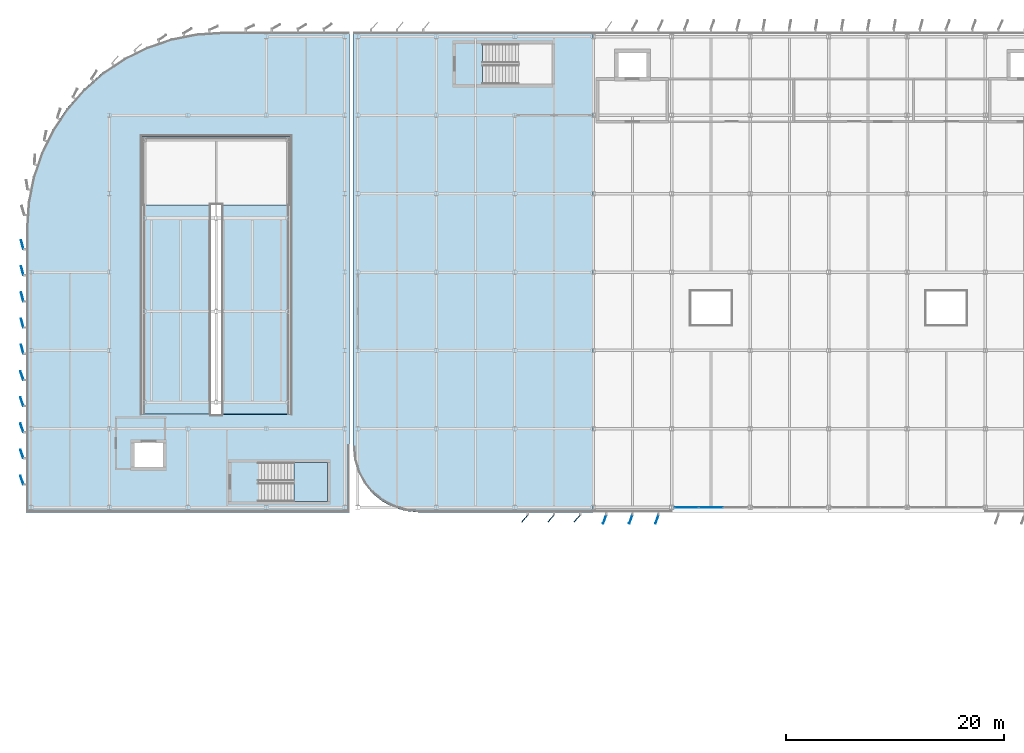
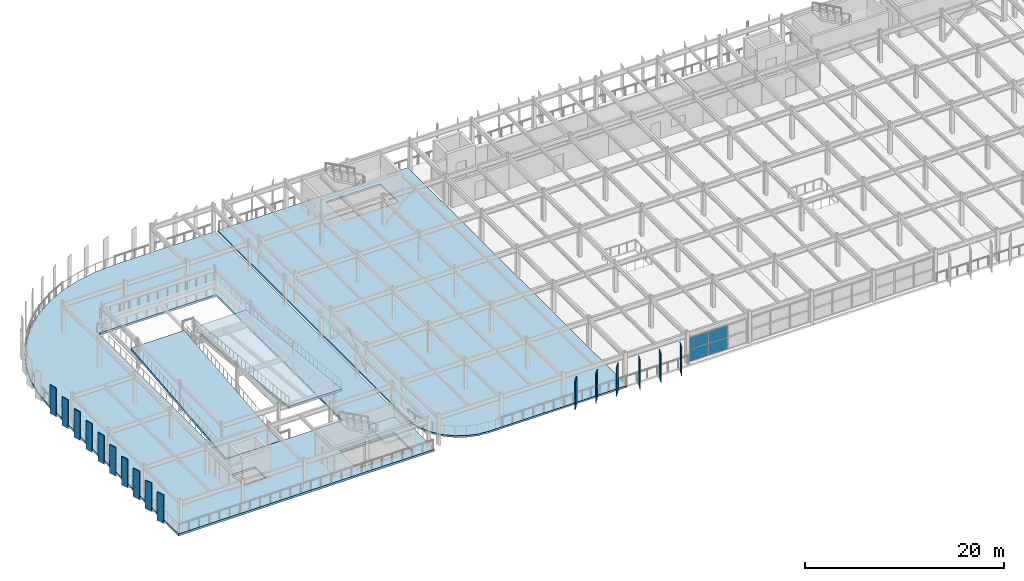
# One storey, part 26 of 52: 20 plates, 5 slabs, 2 elements without a shape of their own.
"""IFC4 building model written with IfcOpenShell, lengths in metres."""

from ifc_helpers import new_model, si_unit, direction, frame, origin, origin_2d, place, context, subcontext, project, spatial, polyline, rectangle, outline, extrude, material, layer, layer_set, type_object, element, aggregate, save


model = new_model("IFC4")

# Units and contexts
model_context = context("Model", 3, precision=1e-05, world=origin(), true_north=direction((0.0, 1.0)))
body_context = subcontext(model_context, "Body", "Model", "MODEL_VIEW")
ifc_project = project(units=[si_unit("LENGTHUNIT", "METRE"), si_unit("AREAUNIT", "SQUARE_METRE"), si_unit("VOLUMEUNIT", "CUBIC_METRE"), si_unit("PLANEANGLEUNIT", "RADIAN"), si_unit("MASSUNIT", "GRAM", prefix="KILO")], contexts=[model_context])

# Site, building, storey
site_placement = place(None, origin())
site = spatial("IfcSite", under=ifc_project, at=site_placement, CompositionType="ELEMENT")
building_placement = place(site_placement, origin())
building = spatial("IfcBuilding", under=site, at=building_placement, Name="Vaelcorin Mobility Hub", CompositionType="ELEMENT")
storey_placement = place(building_placement, frame((0.0, 0.0, 13.199951171875)))
storey = spatial("IfcBuildingStorey", under=building, at=storey_placement, Name="L03", CompositionType="ELEMENT", Elevation=13.199951171875)

# Curtain wall, plates
ifc_material_1 = material(Name="Anodised aluminium 6063-T6", Category="aluminium")
curtain_wall_type = type_object("IfcCurtainWallType", Name="CW-MOB-A", PredefinedType="NOTDEFINED", material=ifc_material_1)
curtain_wall_placement = place(storey_placement, origin())
curtain_wall = element("IfcCurtainWall", 1, at=curtain_wall_placement, inside=storey, type_object=curtain_wall_type, Name="L03 Curtain Wall CW-V4-L03-S-05", PredefinedType="NOTDEFINED")
ifc_material_2 = material(Name="Low-E solar-control insulated glazing", Category="glass")
ifc_layer_1 = layer(ifc_material_2, 0.028076171875)
ifc_layer_set_1 = layer_set([ifc_layer_1], Name="Low-E solar-control insulated glazing")
plate_type_1 = type_object("IfcPlateType", Name="CW-PAN-GLZ28", PredefinedType="CURTAIN_PANEL", material=ifc_layer_set_1)
plate_1_placement = place(storey_placement, frame((68.39990234375, 76.800048828125, 0.06005859375), z_axis=(0.0, 0.0, 1.0), x_axis=(-1.0, 0.0, 0.0)))
plate_1 = element("IfcPlate", 2, at=plate_1_placement, type_object=plate_type_1, Name="CW7 panel 2.1", PredefinedType="CURTAIN_PANEL", context=body_context, shape_type="SweptSolid", body=[
    extrude(rectangle(XDim=2.193359375, YDim=0.028076171875, at=origin_2d()), origin(), (0.0, 0.0, 1.0), 1.426025390625),
])
plate_2_placement = place(storey_placement, frame((68.39990234375, 76.800048828125, 1.5458984375), z_axis=(0.0, 0.0, 1.0), x_axis=(-1.0, 0.0, 0.0)))
plate_2 = element("IfcPlate", 3, at=plate_2_placement, type_object=plate_type_1, Name="CW7 panel 2.2", PredefinedType="CURTAIN_PANEL", context=body_context, shape_type="SweptSolid", body=[
    extrude(rectangle(XDim=2.193359375, YDim=0.028076171875, at=origin_2d()), origin(), (0.0, 0.0, 1.0), 1.427001953125),
])
plate_3_placement = place(storey_placement, frame((66.16162109375, 76.800048828125, 0.06005859375), z_axis=(0.0, 0.0, 1.0), x_axis=(-1.0, 0.0, 0.0)))
plate_3 = element("IfcPlate", 4, at=plate_3_placement, type_object=plate_type_1, Name="CW7 panel 3.1", PredefinedType="CURTAIN_PANEL", context=body_context, shape_type="SweptSolid", body=[
    extrude(rectangle(XDim=2.163330078125, YDim=0.028076171875, at=origin_2d()), origin(), (0.0, 0.0, 1.0), 1.426025390625),
])
plate_4_placement = place(storey_placement, frame((66.16162109375, 76.800048828125, 1.5458984375), z_axis=(0.0, 0.0, 1.0), x_axis=(-1.0, 0.0, 0.0)))
plate_4 = element("IfcPlate", 5, at=plate_4_placement, type_object=plate_type_1, Name="CW7 panel 3.2", PredefinedType="CURTAIN_PANEL", context=body_context, shape_type="SweptSolid", body=[
    extrude(rectangle(XDim=2.163330078125, YDim=0.028076171875, at=origin_2d()), origin(), (0.0, 0.0, 1.0), 1.427001953125),
])
aggregate(curtain_wall, [plate_1, plate_2, plate_3, plate_4])

# Plates
ifc_material_3 = material(Name="Perforated terracotta-bronze aluminium aerofoil", Category="masonry")
ifc_layer_2 = layer(ifc_material_3, 0.06005859375)
ifc_layer_set_2 = layer_set([ifc_layer_2], Name="Perforated terracotta-bronze aluminium aerofoil")
plate_type_2 = type_object("IfcPlateType", Name="PL-FIN-AF1", PredefinedType="SHEET", material=ifc_layer_set_2)
for number, where, z_axis, x_axis, name in (
    (6, (56.126953125, 75.783935546875, -0.159912109375), (0.0, 0.0, 1.0), (-0.642787609687, -0.766044443119, 0.0), "Rotating Terracotta-Bronze Aerofoil Fin FIN-V4-L03-S-03-AF-01"),
    (7, (53.72705078125, 75.783935546875, -0.159912109375), (0.0, 0.0, 1.0), (-0.642787609687, -0.766044443119, 0.0), "Rotating Terracotta-Bronze Aerofoil Fin FIN-V4-L03-S-03-AF-02"),
    (8, (51.326904296875, 75.783935546875, -0.159912109375), (0.0, 0.0, 1.0), (-0.642787609687, -0.766044443119, 0.0), "Rotating Terracotta-Bronze Aerofoil Fin FIN-V4-L03-S-03-AF-03"),
    (9, (63.455078125, 75.7109375, -0.159912109375), (0.0, 0.0, 1.0), (-0.342020143326, -0.939692620786, 0.0), "Rotating Terracotta-Bronze Aerofoil Fin FIN-V4-L03-S-04-AF-01"),
    (10, (61.054931640625, 75.7109375, -0.159912109375), (0.0, 0.0, 1.0), (-0.342020143326, -0.939692620786, 0.0), "Rotating Terracotta-Bronze Aerofoil Fin FIN-V4-L03-S-04-AF-02"),
    (11, (58.655029296875, 75.7109375, -0.159912109375), (0.0, 0.0, 1.0), (-0.342020143326, -0.939692620786, 0.0), "Rotating Terracotta-Bronze Aerofoil Fin FIN-V4-L03-S-04-AF-03"),
):
    element("IfcPlate", number, at=place(storey_placement, frame(where, z_axis=z_axis, x_axis=x_axis)), inside=storey, type_object=plate_type_2, Name=name, PredefinedType="SHEET", context=body_context, shape_type="SweptSolid", body=[
        extrude(rectangle(XDim=0.85009765625, YDim=0.06005859375, at=origin_2d()), origin(), (0.0, 0.0, 1.0), 3.5),
    ])
ifc_layer_3 = layer(ifc_material_3, 0.070068359375)
ifc_layer_set_3 = layer_set([ifc_layer_3], Name="Perforated terracotta-bronze aluminium aerofoil")
plate_type_3 = type_object("IfcPlateType", Name="PL-FIN-AF3", PredefinedType="SHEET", material=ifc_layer_set_3)
for number, where, z_axis, x_axis, name in (
    (12, (5.1650390625, 79.299072265625, -0.159912109375), (0.0, 0.0, 1.0), (-0.342020143326, 0.939692620786, 0.0), "Rotating Terracotta-Bronze Aerofoil Fin FIN-V2W-L03-W-AF-01"),
    (13, (5.1650390625, 81.698974609375, -0.159912109375), (0.0, 0.0, 1.0), (-0.342020143326, 0.939692620786, 0.0), "Rotating Terracotta-Bronze Aerofoil Fin FIN-V2W-L03-W-AF-02"),
    (14, (5.1650390625, 84.09912109375, -0.159912109375), (0.0, 0.0, 1.0), (-0.342020143326, 0.939692620786, 0.0), "Rotating Terracotta-Bronze Aerofoil Fin FIN-V2W-L03-W-AF-03"),
    (15, (5.1650390625, 86.4990234375, -0.159912109375), (0.0, 0.0, 1.0), (-0.342020143326, 0.939692620786, 0.0), "Rotating Terracotta-Bronze Aerofoil Fin FIN-V2W-L03-W-AF-04"),
    (16, (5.1650390625, 88.89892578125, -0.159912109375), (0.0, 0.0, 1.0), (-0.342020143326, 0.939692620786, 0.0), "Rotating Terracotta-Bronze Aerofoil Fin FIN-V2W-L03-W-AF-05"),
    (17, (5.199951171875, 91.31103515625, -0.159912109375), (0.0, 0.0, 1.0), (-0.258819045103, 0.965925826289, 0.0), "Rotating Terracotta-Bronze Aerofoil Fin FIN-V2W-L03-W-AF-06"),
    (18, (5.199951171875, 93.7109375, -0.159912109375), (0.0, 0.0, 1.0), (-0.258819045103, 0.965925826289, 0.0), "Rotating Terracotta-Bronze Aerofoil Fin FIN-V2W-L03-W-AF-07"),
    (19, (5.199951171875, 96.111083984375, -0.159912109375), (0.0, 0.0, 1.0), (-0.258819045103, 0.965925826289, 0.0), "Rotating Terracotta-Bronze Aerofoil Fin FIN-V2W-L03-W-AF-08"),
    (20, (5.199951171875, 98.510986328125, -0.159912109375), (0.0, 0.0, 1.0), (-0.258819045103, 0.965925826289, 0.0), "Rotating Terracotta-Bronze Aerofoil Fin FIN-V2W-L03-W-AF-09"),
    (21, (5.199951171875, 100.910888671875, -0.159912109375), (0.0, 0.0, 1.0), (-0.258819045103, 0.965925826289, 0.0), "Rotating Terracotta-Bronze Aerofoil Fin FIN-V2W-L03-W-AF-10"),
):
    element("IfcPlate", number, at=place(storey_placement, frame(where, z_axis=z_axis, x_axis=x_axis)), inside=storey, type_object=plate_type_3, Name=name, PredefinedType="SHEET", context=body_context, shape_type="SweptSolid", body=[
        extrude(rectangle(XDim=0.85009765625, YDim=0.070068359375, at=origin_2d()), origin(), (0.0, 0.0, 1.0), 3.5),
    ])

# Stair, slab
ifc_material_4 = material(Name="Reinforced concrete f'c 45 MPa", Category="concrete")
stair_type = type_object("IfcStairType", Name="STAIR-ST1", PredefinedType="HALF_TURN_STAIR", material=ifc_material_4)
stair_placement = place(storey_placement, origin())
stair = element("IfcStair", 22, at=stair_placement, inside=storey, type_object=stair_type, Name="L03 Protected Exit Stair ST1", PredefinedType="HALF_TURN_STAIR")
ifc_layer_4 = layer(ifc_material_4, 0.199951171875)
ifc_layer_set_4 = layer_set([ifc_layer_4], Name="Reinforced concrete f'c 45 MPa")
slab_type_1 = type_object("IfcSlabType", Name="SLAB-LND-200", PredefinedType="LANDING", material=ifc_layer_set_4)
slab_1_placement = place(storey_placement, frame((0.0, 0.0, 1.75)))
slab_1 = element("IfcSlab", 23, at=slab_1_placement, type_object=slab_type_1, Name="ST1 landing 1", PredefinedType="LANDING", context=body_context, shape_type="SweptSolid", body=[
    extrude(outline(polyline([(30.14990234375, 77.35009765625), (33.199951171875, 77.35009765625), (33.199951171875, 80.909912109375), (30.14990234375, 80.909912109375), (30.14990234375, 77.35009765625)])), origin(), (0.0, 0.0, 1.0), 0.199951171875),
])
aggregate(stair, [slab_1])

# Slabs
ifc_material_5 = material(Name="Concrete f'c 35 MPa", Category="concrete")
ifc_layer_5 = layer(ifc_material_5, 0.2099609375)
ifc_layer_set_5 = layer_set([ifc_layer_5], Name="Concrete f'c 35 MPa")
slab_type_2 = type_object("IfcSlabType", Name="SLAB-PK4", PredefinedType="FLOOR", material=ifc_layer_set_5)
slab_2_placement = place(storey_placement, frame((0.0, 0.0, -0.2099609375)))
element("IfcSlab", 24, at=slab_2_placement, inside=storey, type_object=slab_type_2, Name="L03 EV Mobility Deck SL-V4-L03-Q1", PredefinedType="FLOOR", context=body_context, shape_type="SweptSolid", body=[
    extrude(outline(polyline([(40.37890625, 76.465087890625), (39.25390625, 76.806884765625), (38.217041015625, 77.361083984375), (37.306884765625, 78.10693359375), (36.56103515625, 79.01708984375), (36.007080078125, 80.053955078125), (35.6650390625, 81.178955078125), (35.550048828125, 82.35009765625), (35.550048828125, 120.449951171875), (57.60009765625, 120.449951171875), (57.60009765625, 76.35009765625), (41.550048828125, 76.35009765625), (40.37890625, 76.465087890625)]), holes=[polyline([(53.800048828125, 119.330078125), (47.455078125, 119.330078125), (47.455078125, 115.64990234375), (53.800048828125, 115.64990234375), (53.800048828125, 119.330078125)])]), origin(), (0.0, 0.0, 1.0), 0.2099609375),
])
ifc_layer_6 = layer(ifc_material_5, 0.25)
ifc_layer_set_6 = layer_set([ifc_layer_6], Name="Concrete f'c 35 MPa")
slab_type_3 = type_object("IfcSlabType", Name="SLAB-RMP", PredefinedType="FLOOR", material=ifc_layer_set_6)
slab_3_placement = place(storey_placement, frame((0.0, 0.0, -0.25)))
element("IfcSlab", 25, at=slab_3_placement, inside=storey, type_object=slab_type_3, Name="L03 V2W Ramp Transition Deck SL-V2W-L03", PredefinedType="FLOOR", context=body_context, shape_type="SweptSolid", body=[
    extrude(outline(polyline([(5.550048828125, 102.449951171875), (5.7041015625, 104.799072265625), (6.1630859375, 107.10888671875), (6.919921875, 109.337890625), (7.9619140625, 111.449951171875), (9.27001953125, 113.407958984375), (10.822021484375, 115.177978515625), (12.592041015625, 116.72998046875), (14.550048828125, 118.0380859375), (16.662109375, 119.080078125), (18.89111328125, 119.8369140625), (21.200927734375, 120.2958984375), (23.550048828125, 120.449951171875), (35.25, 120.449951171875), (35.25, 76.35009765625), (5.550048828125, 76.35009765625), (5.550048828125, 102.449951171875)]), holes=[polyline([(26.85498046875, 80.909912109375), (26.85498046875, 77.35009765625), (33.199951171875, 77.35009765625), (33.199951171875, 80.909912109375), (26.85498046875, 80.909912109375)]), polyline([(18.10009765625, 82.699951171875), (15.5, 82.699951171875), (15.5, 80.5), (18.10009765625, 80.5), (18.10009765625, 82.699951171875)]), polyline([(29.800048828125, 110.800048828125), (16.199951171875, 110.800048828125), (16.199951171875, 85.340087890625), (29.800048828125, 85.340087890625), (29.800048828125, 110.800048828125)])]), origin(), (0.0, 0.0, 1.0), 0.25),
])
ifc_layer_7 = layer(ifc_material_5, 0.280029296875)
ifc_layer_set_7 = layer_set([ifc_layer_7], Name="Concrete f'c 35 MPa")
slab_type_4 = type_object("IfcSlabType", Name="SLAB-RMP-VR1", PredefinedType="FLOOR", material=ifc_layer_set_7)
slab_4_placement = place(storey_placement, frame((16.300048828125, 85.360107421875, 0.0), z_axis=(0.0, -0.101144847313, 0.994871710253), x_axis=(1.0, 0.0, 0.0)))
element("IfcSlab", 26, at=slab_4_placement, inside=storey, type_object=slab_type_4, Name="Vehicle Ramp VR-1 Slab L03 Flight 1", PredefinedType="FLOOR", context=body_context, shape_type="SweptSolid", body=[
    extrude(outline(polyline([(0.0, 0.0), (6.199951171875, 0.0), (6.199951171875, 19.27879890739422), (0.0, 19.27879890739422), (0.0, 0.0)])), origin(), (0.0, 0.0, -1.0), 0.280029296875),
])
slab_5_placement = place(storey_placement, frame((23.5, 85.360107421875, 3.900146484375), z_axis=(0.0, 0.101157381421, 0.994870435878), x_axis=(1.0, 0.0, 0.0)))
element("IfcSlab", 27, at=slab_5_placement, inside=storey, type_object=slab_type_4, Name="Vehicle Ramp VR-1 Slab L03 Flight 2", PredefinedType="FLOOR", context=body_context, shape_type="SweptSolid", body=[
    extrude(outline(polyline([(0.0, 0.0), (6.199951171875, 0.0), (6.199951171875, 19.278823602490505), (0.0, 19.278823602490505), (0.0, 0.0)])), origin(), (0.0, 0.0, -1.0), 0.280029296875),
])

save(model, "model.ifc")
